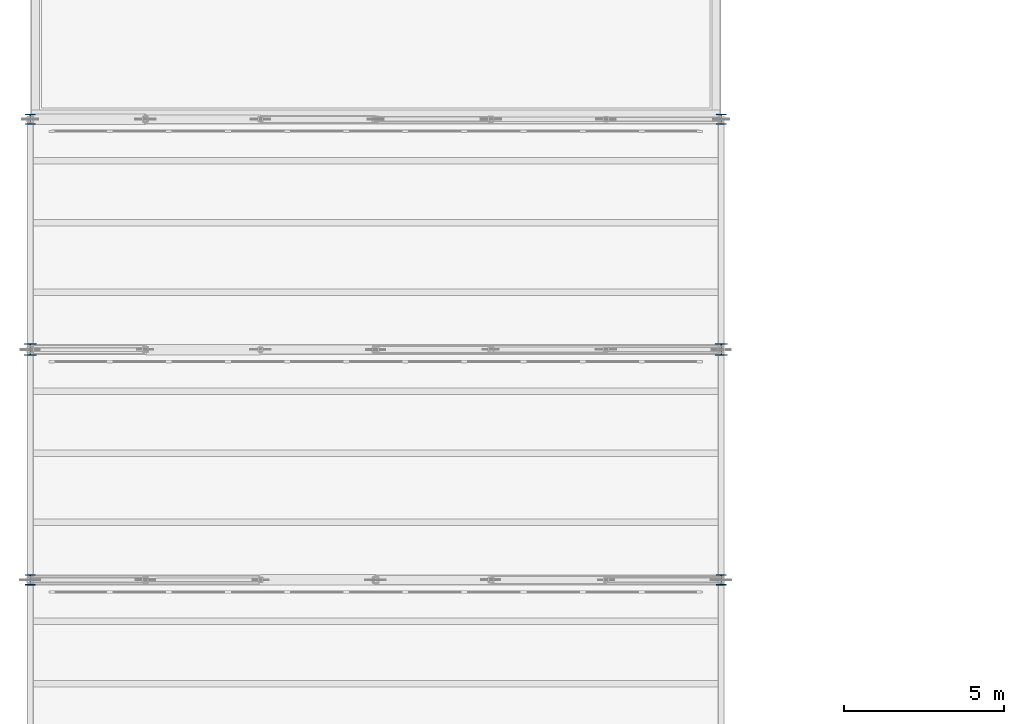
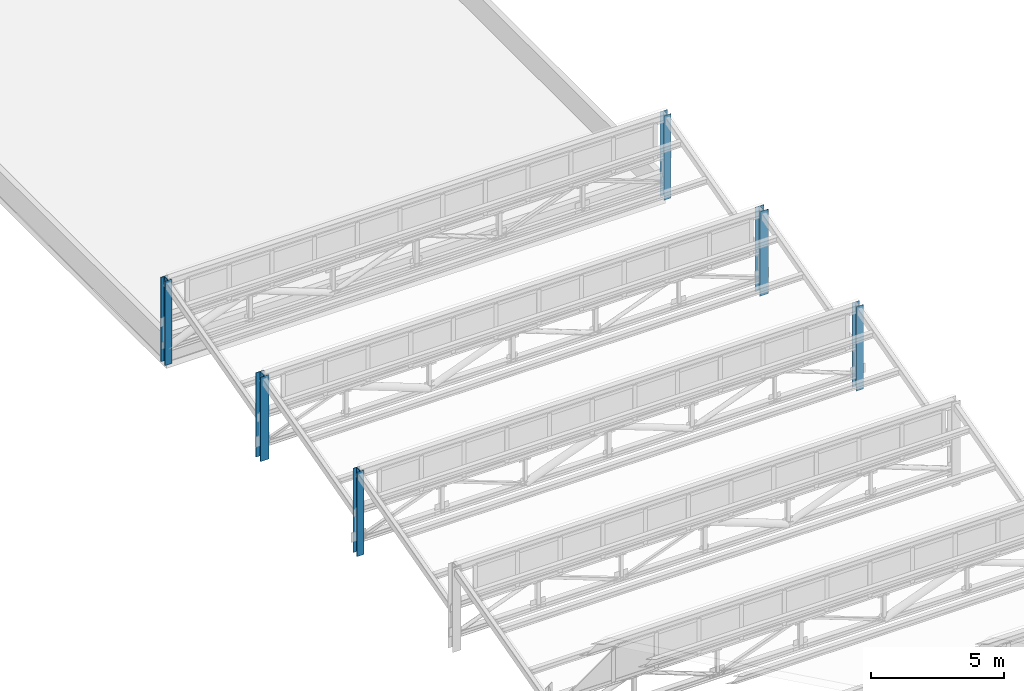
# One storey, part 3 of 55: 6 columns.
"""IFC4 building model written with IfcOpenShell, lengths in metres."""

import ifcopenshell
import ifcopenshell.guid

model = None  # the IFC model being written
_history = None  # IfcOwnerHistory: only IFC2X3 demands one
_inside = {}  # id of a spatial element -> (the spatial element, [elements in it])
_under = {}  # id of a project, library or spatial element -> (it, [spatial elements below it])
_declared = {}  # id of a project -> (the project, [libraries it declares])
_typed = {}  # id of a type object -> (the type object, [elements of that type])
_made_of = {}  # id of a material, layer set ... -> (it, [elements and type objects made of it])


def new_model(schema):
    """Start an empty IFC model of exactly this schema.

    Asked for "IFC4X3", IfcOpenShell would pick the latest addendum, in which some entities
    have other attributes; the version numbers below select the first issue.
    IFC2X3 requires an IfcOwnerHistory on every rooted entity: one is made here for all.
    """
    global model, _history
    if schema == "IFC4X3":
        model = ifcopenshell.file(schema_version=(4, 3, 0, 0))
    else:
        model = ifcopenshell.file(schema=schema)
    _inside.clear()
    _under.clear()
    _declared.clear()
    _typed.clear()
    _made_of.clear()
    _history = None
    if model.schema == "IFC2X3":
        org = make("IfcOrganization", Name="unknown")
        user = make(
            "IfcPersonAndOrganization",
            ThePerson=make("IfcPerson", FamilyName="unknown"),
            TheOrganization=org,
        )
        app = make(
            "IfcApplication",
            ApplicationDeveloper=org,
            Version="unknown",
            ApplicationFullName="unknown",
            ApplicationIdentifier="unknown",
        )
        _history = make(
            "IfcOwnerHistory",
            OwningUser=user,
            OwningApplication=app,
            ChangeAction="ADDED",
            CreationDate=0,
        )
    return model


def make(cls, **values):
    """One entity of the class cls with the attributes given. An attribute that is None is left unset."""
    return model.create_entity(
        cls, **{name: value for name, value in values.items() if value is not None}
    )


def rooted(cls, **values):
    """An entity with a GlobalId (a new one), such as an element, a storey or a relation."""
    return make(cls, GlobalId=ifcopenshell.guid.new(), OwnerHistory=_history, **values)


def si_unit(unit_type, name, prefix=None):
    """IfcSIUnit, for example si_unit("LENGTHUNIT", "METRE", prefix="MILLI")."""
    return make("IfcSIUnit", UnitType=unit_type, Prefix=prefix, Name=name)


def assignment(units):
    """IfcUnitAssignment: the units of a project."""
    return None if units is None else make("IfcUnitAssignment", Units=units)


def point(xyz):
    """IfcCartesianPoint."""
    return None if xyz is None else make("IfcCartesianPoint", Coordinates=xyz)


def direction(xyz):
    """IfcDirection."""
    return None if xyz is None else make("IfcDirection", DirectionRatios=xyz)


def frame(location, z_axis=None, x_axis=None):
    """IfcAxis2Placement3D, a coordinate frame: its origin and axes. An axis left out is left unset."""
    return make(
        "IfcAxis2Placement3D",
        Location=point(location),
        Axis=direction(z_axis),
        RefDirection=direction(x_axis),
    )


def frame_2d(location, x_axis=None):
    """IfcAxis2Placement2D, a coordinate frame in the plane: its origin and x axis."""
    return make(
        "IfcAxis2Placement2D", Location=point(location), RefDirection=direction(x_axis)
    )


def origin():
    """The frame at (0, 0, 0) with its axes left unset."""
    return frame((0.0, 0.0, 0.0))


def origin_2d():
    """The frame at (0, 0) in the plane with its x axis left unset."""
    return frame_2d((0.0, 0.0))


def place(relative_to, where):
    """IfcLocalPlacement: puts the frame where relative to a parent placement (None: the world)."""
    return make(
        "IfcLocalPlacement", PlacementRelTo=relative_to, RelativePlacement=where
    )


def context(
    kind, dimensions, precision=None, world=None, true_north=None, identifier=None
):
    """IfcGeometricRepresentationContext, for example the 3D "Model" context."""
    return make(
        "IfcGeometricRepresentationContext",
        ContextIdentifier=identifier,
        ContextType=kind,
        CoordinateSpaceDimension=dimensions,
        Precision=precision,
        WorldCoordinateSystem=world,
        TrueNorth=true_north,
    )


def subcontext(parent, identifier, kind, view, scale=None):
    """IfcGeometricRepresentationSubContext, for example "Body" below "Model"."""
    return make(
        "IfcGeometricRepresentationSubContext",
        ContextIdentifier=identifier,
        ContextType=kind,
        ParentContext=parent,
        TargetScale=scale,
        TargetView=view,
    )


def project(units=None, contexts=None):
    """IfcProject with its units and contexts."""
    return rooted(
        "IfcProject",
        Name="project",
        RepresentationContexts=contexts,
        UnitsInContext=assignment(units),
    )


def spatial(cls, under=None, at=None, **own):
    """A site, building, storey or space (cls), placed at a placement, below another one or the project."""
    s = rooted(cls, ObjectPlacement=at, **own)
    if under is not None:
        _under.setdefault(under.id(), (under, []))[1].append(s)
    return s


def profile(cls, at=None, kind="AREA", **sizes):
    """A parametric profile (cls). Its sizes go by their IFC names, for example OverallWidth=200.0."""
    return make(cls, ProfileType=kind, Position=at, **sizes)


def i_section(**sizes):
    """IfcIShapeProfileDef."""
    return profile("IfcIShapeProfileDef", **sizes)


def extrude(swept, where, along, depth):
    """IfcExtrudedAreaSolid: the profile swept, set in the frame where, extruded along a direction by depth."""
    return make(
        "IfcExtrudedAreaSolid",
        SweptArea=swept,
        Position=where,
        ExtrudedDirection=direction(along),
        Depth=depth,
    )


def shape(context_of_items, identifier, shape_type, items):
    """IfcShapeRepresentation: the items that make up one representation, for example the "Body"."""
    return make(
        "IfcShapeRepresentation",
        ContextOfItems=context_of_items,
        RepresentationIdentifier=identifier,
        RepresentationType=shape_type,
        Items=items,
    )


def material(Name=None, Category=None):
    """IfcMaterial."""
    return make("IfcMaterial", Name=Name, Category=Category)


def material_profile(
    of_material, cross_section, Name=None, Category=None, Priority=None
):
    """IfcMaterialProfile: a cross section and its material."""
    return make(
        "IfcMaterialProfile",
        Name=Name,
        Material=of_material,
        Profile=cross_section,
        Priority=Priority,
        Category=Category,
    )


def profile_set(profiles, Name=None, composite=None):
    """IfcMaterialProfileSet."""
    return make(
        "IfcMaterialProfileSet",
        Name=Name,
        MaterialProfiles=profiles,
        CompositeProfile=composite,
    )


def made_of(thing, what):
    """Note that an element or type object is made of a material, layer set ...; save() writes the relation."""
    if what is not None:
        _made_of.setdefault(what.id(), (what, []))[1].append(thing)
    return thing


def type_object(cls, material=None, **own):
    """A type object (cls), such as IfcWallType, which elements share."""
    return made_of(rooted(cls, **own), material)


def element(
    cls,
    number,
    at=None,
    inside=None,
    cuts=None,
    type_object=None,
    material=None,
    context=None,
    identifier="Body",
    shape_type=None,
    held_by="IfcProductDefinitionShape",
    body=None,
    shapes=None,
    **own,
):
    """One element of the class cls, such as IfcWall. Its Tag is "e" and its number.

    at: its placement. inside: the storey or other place that contains it. cuts: it is an
    opening in that element (IfcRelVoidsElement). A single representation is given by context,
    identifier, shape_type and body (its items); several are given by shapes. held_by: the class
    of the entity that holds the representations. save() writes the other relations.
    """
    e = rooted(cls, Tag="e%d" % number, ObjectPlacement=at, **own)
    if body is not None:
        shapes = [shape(context, identifier, shape_type, body)]
    if shapes is not None:
        e.Representation = make(held_by, Representations=shapes)
    if inside is not None:
        _inside.setdefault(inside.id(), (inside, []))[1].append(e)
    if cuts is not None:
        rooted(
            "IfcRelVoidsElement", RelatingBuildingElement=cuts, RelatedOpeningElement=e
        )
    if type_object is not None:
        _typed.setdefault(type_object.id(), (type_object, []))[1].append(e)
    return made_of(e, material)


def aggregate(whole, parts):
    """IfcRelAggregates: a whole, such as a stair, and the parts it consists of."""
    return rooted("IfcRelAggregates", RelatingObject=whole, RelatedObjects=parts)


def save(model, path):
    """Write the relations noted so far, then the file.

    IfcRelAggregates (storeys below a building ...), IfcRelContainedInSpatialStructure (elements
    in a storey), IfcRelDefinesByType, IfcRelAssociatesMaterial and IfcRelDeclares: one each for
    every whole, place, type object, material and project.
    """
    for whole, parts in _under.values():
        aggregate(whole, parts)
    for where, things in _inside.values():
        rooted(
            "IfcRelContainedInSpatialStructure",
            RelatedElements=things,
            RelatingStructure=where,
        )
    for kind, things in _typed.values():
        rooted("IfcRelDefinesByType", RelatedObjects=things, RelatingType=kind)
    for what, things in _made_of.values():
        rooted("IfcRelAssociatesMaterial", RelatedObjects=things, RelatingMaterial=what)
    for by, libraries in _declared.values():
        rooted("IfcRelDeclares", RelatingContext=by, RelatedDefinitions=libraries)
    model.write(path)


model = new_model("IFC4")

# Units and contexts
model_context = context("Model", 3, precision=1e-05, world=origin(), true_north=direction((0.0, 1.0)))
body_context = subcontext(model_context, "Body", "Model", "MODEL_VIEW")
ifc_project = project(units=[si_unit("LENGTHUNIT", "METRE"), si_unit("AREAUNIT", "SQUARE_METRE"), si_unit("VOLUMEUNIT", "CUBIC_METRE"), si_unit("PLANEANGLEUNIT", "RADIAN"), si_unit("MASSUNIT", "GRAM", prefix="KILO")], contexts=[model_context])

# Site, building, storey
site_placement = place(None, origin())
site = spatial("IfcSite", under=ifc_project, at=site_placement, CompositionType="ELEMENT")
building_placement = place(site_placement, origin())
building = spatial("IfcBuilding", under=site, at=building_placement, Name="Solenvale Faculty of Natural Sciences", CompositionType="ELEMENT")
storey_placement = place(building_placement, frame((0.0, 0.0, 22.5)))
storey = spatial("IfcBuildingStorey", under=building, at=storey_placement, Name="L05", CompositionType="ELEMENT", Elevation=22.5)

# Columns
ifc_material = material(Name="Steel S355", Category="steel")
ifc_material_profile_1 = material_profile(ifc_material, i_section(OverallWidth=0.30810546875, OverallDepth=0.318115234375, WebThickness=0.01318359375, FlangeThickness=0.0205078125, FilletRadius=0.014892578125, at=origin_2d()), Name="W310x129")
ifc_profile_set_1 = profile_set([ifc_material_profile_1], Name="Steel S355")
column_type_1 = type_object("IfcColumnType", Name="COL-STL-W310x129", PredefinedType="COLUMN", material=ifc_profile_set_1)
for number, where, z_axis, x_axis, name in (
    (1, (36.0, 50.39990234375, 0.0), (0.0, 0.0, 1.0), (1.0, 0.0, 0.0), "V3 Sawtooth Monitor Column 6 X36"),
    (2, (57.60009765625, 50.39990234375, 0.0), (0.0, 0.0, 1.0), (1.0, 0.0, 0.0), "V3 Sawtooth Monitor Column 6 X58"),
    (3, (36.0, 64.800048828125, 0.0), (0.0, 0.0, 1.0), (1.0, 0.0, 0.0), "V3 Sawtooth Monitor Column 8 X36"),
    (4, (57.60009765625, 64.800048828125, 0.0), (0.0, 0.0, 1.0), (1.0, 0.0, 0.0), "V3 Sawtooth Monitor Column 8 X58"),
):
    element("IfcColumn", number, at=place(storey_placement, frame(where, z_axis=z_axis, x_axis=x_axis)), inside=storey, type_object=column_type_1, Name=name, PredefinedType="COLUMN", context=body_context, shape_type="SweptSolid", body=[
        extrude(i_section(OverallWidth=0.30810546875, OverallDepth=0.318115234375, WebThickness=0.01318359375, FlangeThickness=0.0205078125, FilletRadius=0.014892578125, at=origin_2d()), origin(), (0.0, 0.0, 1.0), 3.860107421875),
    ])
ifc_material_profile_2 = material_profile(ifc_material, i_section(OverallWidth=0.37109375, OverallDepth=0.364013671875, WebThickness=0.01318359375, FlangeThickness=0.021728515625, FilletRadius=0.02197265625, at=origin_2d()), Name="W360x162")
ifc_profile_set_2 = profile_set([ifc_material_profile_2], Name="Steel S355")
column_type_2 = type_object("IfcColumnType", Name="COL-STL-W360x162", PredefinedType="COLUMN", material=ifc_profile_set_2)
for number, where, z_axis, x_axis, name in (
    (5, (36.0, 57.60009765625, 0.0), (0.0, 0.0, 1.0), (1.0, 0.0, 0.0), "V3 Sawtooth Monitor Column 7 X36"),
    (6, (57.60009765625, 57.60009765625, 0.0), (0.0, 0.0, 1.0), (1.0, 0.0, 0.0), "V3 Sawtooth Monitor Column 7 X58"),
):
    element("IfcColumn", number, at=place(storey_placement, frame(where, z_axis=z_axis, x_axis=x_axis)), inside=storey, type_object=column_type_2, Name=name, PredefinedType="COLUMN", context=body_context, shape_type="SweptSolid", body=[
        extrude(i_section(OverallWidth=0.37109375, OverallDepth=0.364013671875, WebThickness=0.01318359375, FlangeThickness=0.021728515625, FilletRadius=0.02197265625, at=origin_2d()), origin(), (0.0, 0.0, 1.0), 3.860107421875),
    ])

save(model, "model.ifc")
